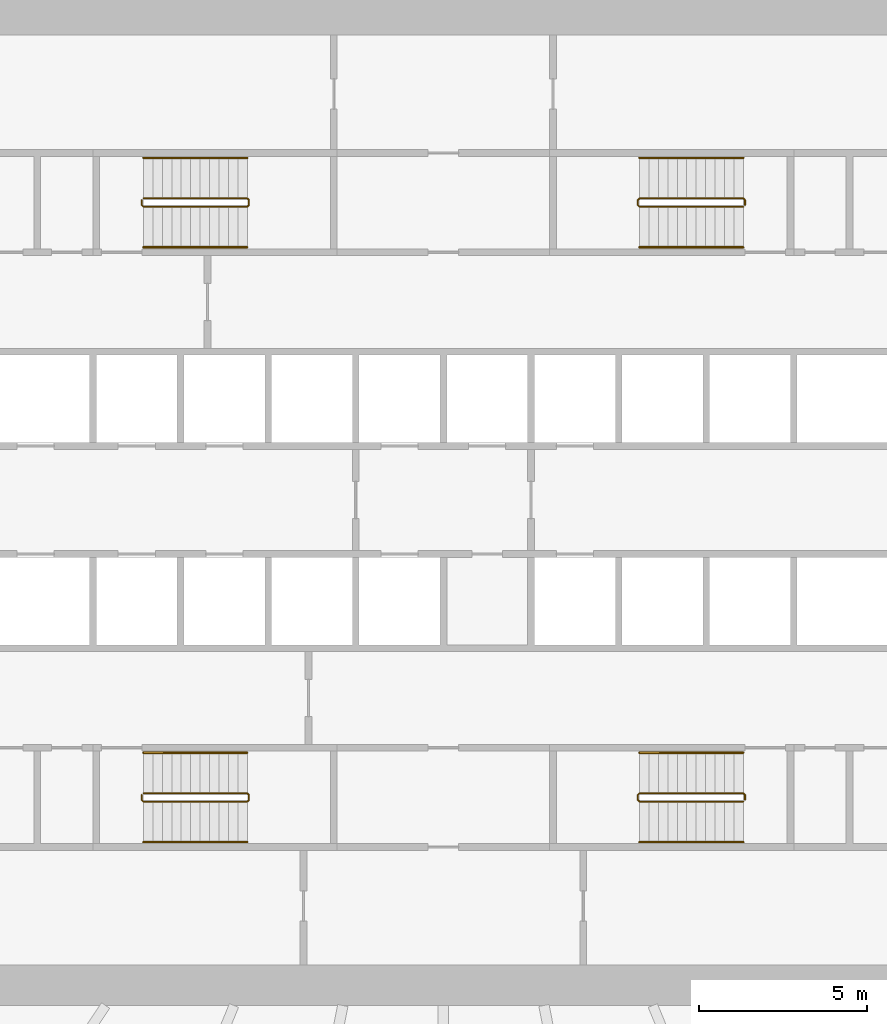
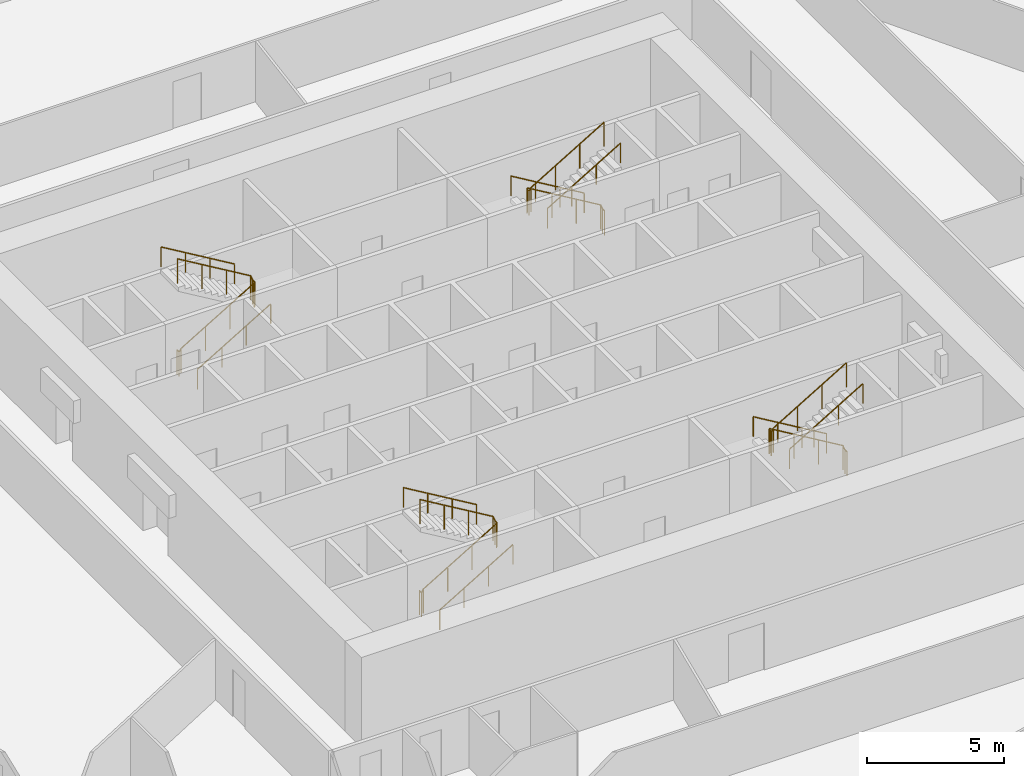
# One storey, part 15 of 15: 12 railings.
"""IFC4 building model written with IfcOpenShell, lengths in metres."""

from ifc_helpers import new_model, si_unit, direction, frame, origin, origin_2d, place, context, subcontext, project, spatial, circle, extrude, material, type_object, element, save


model = new_model("IFC4")

# Units and contexts
model_context = context("Model", 3, precision=1e-05, world=origin(), true_north=direction((0.0, 1.0)))
body_context = subcontext(model_context, "Body", "Model", "MODEL_VIEW")
ifc_project = project(units=[si_unit("LENGTHUNIT", "METRE"), si_unit("AREAUNIT", "SQUARE_METRE"), si_unit("VOLUMEUNIT", "CUBIC_METRE"), si_unit("PLANEANGLEUNIT", "RADIAN"), si_unit("MASSUNIT", "GRAM", prefix="KILO")], contexts=[model_context])

# Site, building, storey
site_placement = place(None, origin())
site = spatial("IfcSite", under=ifc_project, at=site_placement, CompositionType="ELEMENT")
building_placement = place(site_placement, origin())
building = spatial("IfcBuilding", under=site, at=building_placement, Name="Corvane Civic Tower", CompositionType="ELEMENT")
storey_placement = place(building_placement, frame((0.0, 0.0, 45.0)))
storey = spatial("IfcBuildingStorey", under=building, at=storey_placement, Name="L09", CompositionType="ELEMENT", Elevation=45.0)

# Railings
ifc_material_1 = material(Name="Steel ASTM A572 Gr 50", Category="steel")
railing_type_1 = type_object("IfcRailingType", Name="ST-GUARD-1100", PredefinedType="GUARDRAIL", material=ifc_material_1)
railing_1_placement = place(storey_placement, frame((8.949951171875, 8.75, 0.0)))
element("IfcRailing", 1, at=railing_1_placement, inside=storey, type_object=railing_type_1, Name="L09 ST1 stair guard 1", PredefinedType="GUARDRAIL", context=body_context, shape_type="SweptSolid", body=[
    extrude(circle(Radius=0.02392578125, at=origin_2d()), frame((0.0, 0.0, 1.076171875), z_axis=(0.0, 1.0, 0.0), x_axis=(-1.0, 0.0, 0.0)), (0.0, 0.0, 1.0), 0.14990234375),
    extrude(circle(Radius=0.02392578125, at=origin_2d()), frame((0.0, 0.14990234375, 1.076171875), z_axis=(-0.27628659633, 0.27628659633, 0.920506074601), x_axis=(-0.707106781187, -0.707106781187, 0.0)), (0.0, 0.0, 1.0), 0.18115234375),
    extrude(circle(Radius=0.02392578125, at=origin_2d()), frame((-0.050048828125, 0.199951171875, 1.24267578125), z_axis=(-0.859290745958, 0.0, 0.51148745235), x_axis=(0.0, -1.0, 0.0)), (0.0, 0.0, 1.0), 3.584228515625),
    extrude(circle(Radius=0.02392578125, at=origin_2d()), frame((-3.1298828125, 0.199951171875, 3.076171875), z_axis=(-0.707106781187, -0.707106781187, 0.0), x_axis=(0.707106781187, -0.707106781187, 0.0)), (0.0, 0.0, 1.0), 0.07080078125),
    extrude(circle(Radius=0.02392578125, at=origin_2d()), frame((-3.179931640625, 0.14990234375, 3.076171875), z_axis=(0.0, -1.0, 0.0), x_axis=(1.0, 0.0, 0.0)), (0.0, 0.0, 1.0), 0.14990234375),
    extrude(circle(Radius=0.02392578125, at=origin_2d()), frame((-3.179931640625, 0.0, 3.076171875), z_axis=(0.27628659633, -0.27628659633, 0.920506074601), x_axis=(0.707106781187, 0.707106781187, 0.0)), (0.0, 0.0, 1.0), 0.18115234375),
    extrude(circle(Radius=0.02392578125, at=origin_2d()), frame((-3.1298828125, -0.050048828125, 3.24267578125), z_axis=(0.859290745958, 0.0, 0.51148745235), x_axis=(0.0, 1.0, 0.0)), (0.0, 0.0, 1.0), 3.584228515625),
    extrude(circle(Radius=0.02099609375, at=origin_2d()), origin(), (0.0, 0.0, 1.0), 1.052001953125),
    extrude(circle(Radius=0.02099609375, at=origin_2d()), frame((0.0, 0.14990234375, 0.0)), (0.0, 0.0, 1.0), 1.052001953125),
    extrude(circle(Radius=0.02099609375, at=origin_2d()), frame((-0.050048828125, 0.199951171875, 0.166748046875)), (0.0, 0.0, 1.0), 1.052001953125),
    extrude(circle(Radius=0.02099609375, at=origin_2d()), frame((-1.07666015625, 0.199951171875, 0.77783203125)), (0.0, 0.0, 1.0), 1.052001953125),
    extrude(circle(Radius=0.02099609375, at=origin_2d()), frame((-2.103271484375, 0.199951171875, 1.388916015625)), (0.0, 0.0, 1.0), 1.052001953125),
    extrude(circle(Radius=0.02099609375, at=origin_2d()), frame((-3.1298828125, 0.199951171875, 2.0)), (0.0, 0.0, 1.0), 1.052001953125),
    extrude(circle(Radius=0.02099609375, at=origin_2d()), frame((-3.179931640625, 0.14990234375, 2.0)), (0.0, 0.0, 1.0), 1.052001953125),
    extrude(circle(Radius=0.02099609375, at=origin_2d()), frame((-3.179931640625, 0.0, 2.0)), (0.0, 0.0, 1.0), 1.052001953125),
    extrude(circle(Radius=0.02099609375, at=origin_2d()), frame((-3.1298828125, -0.050048828125, 2.166748046875)), (0.0, 0.0, 1.0), 1.052001953125),
    extrude(circle(Radius=0.02099609375, at=origin_2d()), frame((-2.103271484375, -0.050048828125, 2.77783203125)), (0.0, 0.0, 1.0), 1.052001953125),
    extrude(circle(Radius=0.02099609375, at=origin_2d()), frame((-1.07666015625, -0.050048828125, 3.388916015625)), (0.0, 0.0, 1.0), 1.052001953125),
    extrude(circle(Radius=0.02099609375, at=origin_2d()), frame((-0.050048828125, -0.050048828125, 4.0)), (0.0, 0.0, 1.0), 1.052001953125),
])
railing_2_placement = place(storey_placement, frame((8.949951171875, -8.89990234375, 0.0)))
element("IfcRailing", 2, at=railing_2_placement, inside=storey, type_object=railing_type_1, Name="L09 ST2 stair guard 1", PredefinedType="GUARDRAIL", context=body_context, shape_type="SweptSolid", body=[
    extrude(circle(Radius=0.02392578125, at=origin_2d()), frame((0.0, 0.0, 1.076171875), z_axis=(0.0, 1.0, 0.0), x_axis=(-1.0, 0.0, 0.0)), (0.0, 0.0, 1.0), 0.14990234375),
    extrude(circle(Radius=0.02392578125, at=origin_2d()), frame((0.0, 0.14990234375, 1.076171875), z_axis=(-0.27628659633, 0.27628659633, 0.920506074601), x_axis=(-0.707106781187, -0.707106781187, 0.0)), (0.0, 0.0, 1.0), 0.18115234375),
    extrude(circle(Radius=0.02392578125, at=origin_2d()), frame((-0.050048828125, 0.199951171875, 1.24267578125), z_axis=(-0.859290745958, 0.0, 0.51148745235), x_axis=(0.0, -1.0, 0.0)), (0.0, 0.0, 1.0), 3.584228515625),
    extrude(circle(Radius=0.02392578125, at=origin_2d()), frame((-3.1298828125, 0.199951171875, 3.076171875), z_axis=(-0.707106781187, -0.707106781187, 0.0), x_axis=(0.707106781187, -0.707106781187, 0.0)), (0.0, 0.0, 1.0), 0.07080078125),
    extrude(circle(Radius=0.02392578125, at=origin_2d()), frame((-3.179931640625, 0.14990234375, 3.076171875), z_axis=(0.0, -1.0, 0.0), x_axis=(1.0, 0.0, 0.0)), (0.0, 0.0, 1.0), 0.14990234375),
    extrude(circle(Radius=0.02392578125, at=origin_2d()), frame((-3.179931640625, 0.0, 3.076171875), z_axis=(0.27628659633, -0.27628659633, 0.920506074601), x_axis=(0.707106781187, 0.707106781187, 0.0)), (0.0, 0.0, 1.0), 0.18115234375),
    extrude(circle(Radius=0.02392578125, at=origin_2d()), frame((-3.1298828125, -0.050048828125, 3.24267578125), z_axis=(0.859290745958, 0.0, 0.51148745235), x_axis=(0.0, 1.0, 0.0)), (0.0, 0.0, 1.0), 3.584228515625),
    extrude(circle(Radius=0.02099609375, at=origin_2d()), origin(), (0.0, 0.0, 1.0), 1.052001953125),
    extrude(circle(Radius=0.02099609375, at=origin_2d()), frame((0.0, 0.14990234375, 0.0)), (0.0, 0.0, 1.0), 1.052001953125),
    extrude(circle(Radius=0.02099609375, at=origin_2d()), frame((-0.050048828125, 0.199951171875, 0.166748046875)), (0.0, 0.0, 1.0), 1.052001953125),
    extrude(circle(Radius=0.02099609375, at=origin_2d()), frame((-1.07666015625, 0.199951171875, 0.77783203125)), (0.0, 0.0, 1.0), 1.052001953125),
    extrude(circle(Radius=0.02099609375, at=origin_2d()), frame((-2.103271484375, 0.199951171875, 1.388916015625)), (0.0, 0.0, 1.0), 1.052001953125),
    extrude(circle(Radius=0.02099609375, at=origin_2d()), frame((-3.1298828125, 0.199951171875, 2.0)), (0.0, 0.0, 1.0), 1.052001953125),
    extrude(circle(Radius=0.02099609375, at=origin_2d()), frame((-3.179931640625, 0.14990234375, 2.0)), (0.0, 0.0, 1.0), 1.052001953125),
    extrude(circle(Radius=0.02099609375, at=origin_2d()), frame((-3.179931640625, 0.0, 2.0)), (0.0, 0.0, 1.0), 1.052001953125),
    extrude(circle(Radius=0.02099609375, at=origin_2d()), frame((-3.1298828125, -0.050048828125, 2.166748046875)), (0.0, 0.0, 1.0), 1.052001953125),
    extrude(circle(Radius=0.02099609375, at=origin_2d()), frame((-2.103271484375, -0.050048828125, 2.77783203125)), (0.0, 0.0, 1.0), 1.052001953125),
    extrude(circle(Radius=0.02099609375, at=origin_2d()), frame((-1.07666015625, -0.050048828125, 3.388916015625)), (0.0, 0.0, 1.0), 1.052001953125),
    extrude(circle(Radius=0.02099609375, at=origin_2d()), frame((-0.050048828125, -0.050048828125, 4.0)), (0.0, 0.0, 1.0), 1.052001953125),
])
railing_3_placement = place(storey_placement, frame((-8.949951171875, -8.75, 0.0)))
element("IfcRailing", 3, at=railing_3_placement, inside=storey, type_object=railing_type_1, Name="L09 ST3 stair guard 1", PredefinedType="GUARDRAIL", context=body_context, shape_type="SweptSolid", body=[
    extrude(circle(Radius=0.02392578125, at=origin_2d()), frame((0.0, 0.0, 1.076171875), z_axis=(0.0, -1.0, 0.0), x_axis=(1.0, 0.0, 0.0)), (0.0, 0.0, 1.0), 0.14990234375),
    extrude(circle(Radius=0.02392578125, at=origin_2d()), frame((0.0, -0.14990234375, 1.076171875), z_axis=(0.27628659633, -0.27628659633, 0.920506074601), x_axis=(0.707106781187, 0.707106781187, 0.0)), (0.0, 0.0, 1.0), 0.18115234375),
    extrude(circle(Radius=0.02392578125, at=origin_2d()), frame((0.050048828125, -0.199951171875, 1.24267578125), z_axis=(0.859290745958, 0.0, 0.51148745235), x_axis=(0.0, 1.0, 0.0)), (0.0, 0.0, 1.0), 3.584228515625),
    extrude(circle(Radius=0.02392578125, at=origin_2d()), frame((3.1298828125, -0.199951171875, 3.076171875), z_axis=(0.707106781187, 0.707106781187, 0.0), x_axis=(-0.707106781187, 0.707106781187, 0.0)), (0.0, 0.0, 1.0), 0.07080078125),
    extrude(circle(Radius=0.02392578125, at=origin_2d()), frame((3.179931640625, -0.14990234375, 3.076171875), z_axis=(0.0, 1.0, 0.0), x_axis=(-1.0, 0.0, 0.0)), (0.0, 0.0, 1.0), 0.14990234375),
    extrude(circle(Radius=0.02392578125, at=origin_2d()), frame((3.179931640625, 0.0, 3.076171875), z_axis=(-0.27628659633, 0.27628659633, 0.920506074601), x_axis=(-0.707106781187, -0.707106781187, 0.0)), (0.0, 0.0, 1.0), 0.18115234375),
    extrude(circle(Radius=0.02392578125, at=origin_2d()), frame((3.1298828125, 0.050048828125, 3.24267578125), z_axis=(-0.859290745958, 0.0, 0.51148745235), x_axis=(0.0, -1.0, 0.0)), (0.0, 0.0, 1.0), 3.584228515625),
    extrude(circle(Radius=0.02099609375, at=origin_2d()), origin(), (0.0, 0.0, 1.0), 1.052001953125),
    extrude(circle(Radius=0.02099609375, at=origin_2d()), frame((0.0, -0.14990234375, 0.0)), (0.0, 0.0, 1.0), 1.052001953125),
    extrude(circle(Radius=0.02099609375, at=origin_2d()), frame((0.050048828125, -0.199951171875, 0.166748046875)), (0.0, 0.0, 1.0), 1.052001953125),
    extrude(circle(Radius=0.02099609375, at=origin_2d()), frame((1.07666015625, -0.199951171875, 0.77783203125)), (0.0, 0.0, 1.0), 1.052001953125),
    extrude(circle(Radius=0.02099609375, at=origin_2d()), frame((2.103271484375, -0.199951171875, 1.388916015625)), (0.0, 0.0, 1.0), 1.052001953125),
    extrude(circle(Radius=0.02099609375, at=origin_2d()), frame((3.1298828125, -0.199951171875, 2.0)), (0.0, 0.0, 1.0), 1.052001953125),
    extrude(circle(Radius=0.02099609375, at=origin_2d()), frame((3.179931640625, -0.14990234375, 2.0)), (0.0, 0.0, 1.0), 1.052001953125),
    extrude(circle(Radius=0.02099609375, at=origin_2d()), frame((3.179931640625, 0.0, 2.0)), (0.0, 0.0, 1.0), 1.052001953125),
    extrude(circle(Radius=0.02099609375, at=origin_2d()), frame((3.1298828125, 0.050048828125, 2.166748046875)), (0.0, 0.0, 1.0), 1.052001953125),
    extrude(circle(Radius=0.02099609375, at=origin_2d()), frame((2.103271484375, 0.050048828125, 2.77783203125)), (0.0, 0.0, 1.0), 1.052001953125),
    extrude(circle(Radius=0.02099609375, at=origin_2d()), frame((1.07666015625, 0.050048828125, 3.388916015625)), (0.0, 0.0, 1.0), 1.052001953125),
    extrude(circle(Radius=0.02099609375, at=origin_2d()), frame((0.050048828125, 0.050048828125, 4.0)), (0.0, 0.0, 1.0), 1.052001953125),
])
railing_4_placement = place(storey_placement, frame((-8.949951171875, 8.89990234375, 0.0)))
element("IfcRailing", 4, at=railing_4_placement, inside=storey, type_object=railing_type_1, Name="L09 ST4 stair guard 1", PredefinedType="GUARDRAIL", context=body_context, shape_type="SweptSolid", body=[
    extrude(circle(Radius=0.02392578125, at=origin_2d()), frame((0.0, 0.0, 1.076171875), z_axis=(0.0, -1.0, 0.0), x_axis=(1.0, 0.0, 0.0)), (0.0, 0.0, 1.0), 0.14990234375),
    extrude(circle(Radius=0.02392578125, at=origin_2d()), frame((0.0, -0.14990234375, 1.076171875), z_axis=(0.27628659633, -0.27628659633, 0.920506074601), x_axis=(0.707106781187, 0.707106781187, 0.0)), (0.0, 0.0, 1.0), 0.18115234375),
    extrude(circle(Radius=0.02392578125, at=origin_2d()), frame((0.050048828125, -0.199951171875, 1.24267578125), z_axis=(0.859290745958, 0.0, 0.51148745235), x_axis=(0.0, 1.0, 0.0)), (0.0, 0.0, 1.0), 3.584228515625),
    extrude(circle(Radius=0.02392578125, at=origin_2d()), frame((3.1298828125, -0.199951171875, 3.076171875), z_axis=(0.707106781187, 0.707106781187, 0.0), x_axis=(-0.707106781187, 0.707106781187, 0.0)), (0.0, 0.0, 1.0), 0.07080078125),
    extrude(circle(Radius=0.02392578125, at=origin_2d()), frame((3.179931640625, -0.14990234375, 3.076171875), z_axis=(0.0, 1.0, 0.0), x_axis=(-1.0, 0.0, 0.0)), (0.0, 0.0, 1.0), 0.14990234375),
    extrude(circle(Radius=0.02392578125, at=origin_2d()), frame((3.179931640625, 0.0, 3.076171875), z_axis=(-0.27628659633, 0.27628659633, 0.920506074601), x_axis=(-0.707106781187, -0.707106781187, 0.0)), (0.0, 0.0, 1.0), 0.18115234375),
    extrude(circle(Radius=0.02392578125, at=origin_2d()), frame((3.1298828125, 0.050048828125, 3.24267578125), z_axis=(-0.859290745958, 0.0, 0.51148745235), x_axis=(0.0, -1.0, 0.0)), (0.0, 0.0, 1.0), 3.584228515625),
    extrude(circle(Radius=0.02099609375, at=origin_2d()), origin(), (0.0, 0.0, 1.0), 1.052001953125),
    extrude(circle(Radius=0.02099609375, at=origin_2d()), frame((0.0, -0.14990234375, 0.0)), (0.0, 0.0, 1.0), 1.052001953125),
    extrude(circle(Radius=0.02099609375, at=origin_2d()), frame((0.050048828125, -0.199951171875, 0.166748046875)), (0.0, 0.0, 1.0), 1.052001953125),
    extrude(circle(Radius=0.02099609375, at=origin_2d()), frame((1.07666015625, -0.199951171875, 0.77783203125)), (0.0, 0.0, 1.0), 1.052001953125),
    extrude(circle(Radius=0.02099609375, at=origin_2d()), frame((2.103271484375, -0.199951171875, 1.388916015625)), (0.0, 0.0, 1.0), 1.052001953125),
    extrude(circle(Radius=0.02099609375, at=origin_2d()), frame((3.1298828125, -0.199951171875, 2.0)), (0.0, 0.0, 1.0), 1.052001953125),
    extrude(circle(Radius=0.02099609375, at=origin_2d()), frame((3.179931640625, -0.14990234375, 2.0)), (0.0, 0.0, 1.0), 1.052001953125),
    extrude(circle(Radius=0.02099609375, at=origin_2d()), frame((3.179931640625, 0.0, 2.0)), (0.0, 0.0, 1.0), 1.052001953125),
    extrude(circle(Radius=0.02099609375, at=origin_2d()), frame((3.1298828125, 0.050048828125, 2.166748046875)), (0.0, 0.0, 1.0), 1.052001953125),
    extrude(circle(Radius=0.02099609375, at=origin_2d()), frame((2.103271484375, 0.050048828125, 2.77783203125)), (0.0, 0.0, 1.0), 1.052001953125),
    extrude(circle(Radius=0.02099609375, at=origin_2d()), frame((1.07666015625, 0.050048828125, 3.388916015625)), (0.0, 0.0, 1.0), 1.052001953125),
    extrude(circle(Radius=0.02099609375, at=origin_2d()), frame((0.050048828125, 0.050048828125, 4.0)), (0.0, 0.0, 1.0), 1.052001953125),
])
ifc_material_2 = material(Name="Steel ASTM A572 Gr 50", Category="steel")
railing_type_2 = type_object("IfcRailingType", Name="ST-HANDRAIL-900", PredefinedType="HANDRAIL", material=ifc_material_2)
railing_5_placement = place(storey_placement, frame((8.89990234375, 10.14990234375, 0.166748046875)))
element("IfcRailing", 5, at=railing_5_placement, inside=storey, type_object=railing_type_2, Name="L09 ST1 stair handrail 1", PredefinedType="HANDRAIL", context=body_context, shape_type="SweptSolid", body=[
    extrude(circle(Radius=0.02392578125, at=origin_2d()), frame((0.0, 0.0, 0.8759765625), z_axis=(-0.859290745958, 0.0, 0.51148745235), x_axis=(0.0, -1.0, 0.0)), (0.0, 0.0, 1.0), 3.584228515625),
    extrude(circle(Radius=0.02099609375, at=origin_2d()), origin(), (0.0, 0.0, 1.0), 0.851806640625),
    extrude(circle(Radius=0.02099609375, at=origin_2d()), frame((-1.026611328125, 0.0, 0.611083984375)), (0.0, 0.0, 1.0), 0.851806640625),
    extrude(circle(Radius=0.02099609375, at=origin_2d()), frame((-2.05322265625, 0.0, 1.22216796875)), (0.0, 0.0, 1.0), 0.851806640625),
    extrude(circle(Radius=0.02099609375, at=origin_2d()), frame((-3.079833984375, 0.0, 1.833251953125)), (0.0, 0.0, 1.0), 0.851806640625),
])
railing_6_placement = place(storey_placement, frame((5.820068359375, 7.5, 2.166748046875)))
element("IfcRailing", 6, at=railing_6_placement, inside=storey, type_object=railing_type_2, Name="L09 ST1 stair handrail 2", PredefinedType="HANDRAIL", context=body_context, shape_type="SweptSolid", body=[
    extrude(circle(Radius=0.02392578125, at=origin_2d()), frame((0.0, 0.0, 0.8759765625), z_axis=(0.859290745958, 0.0, 0.51148745235), x_axis=(0.0, 1.0, 0.0)), (0.0, 0.0, 1.0), 3.584228515625),
    extrude(circle(Radius=0.02099609375, at=origin_2d()), origin(), (0.0, 0.0, 1.0), 0.851806640625),
    extrude(circle(Radius=0.02099609375, at=origin_2d()), frame((1.026611328125, 0.0, 0.611083984375)), (0.0, 0.0, 1.0), 0.851806640625),
    extrude(circle(Radius=0.02099609375, at=origin_2d()), frame((2.05322265625, 0.0, 1.22216796875)), (0.0, 0.0, 1.0), 0.851806640625),
    extrude(circle(Radius=0.02099609375, at=origin_2d()), frame((3.079833984375, 0.0, 1.833251953125)), (0.0, 0.0, 1.0), 0.851806640625),
])
railing_7_placement = place(storey_placement, frame((8.89990234375, -7.5, 0.166748046875)))
element("IfcRailing", 7, at=railing_7_placement, inside=storey, type_object=railing_type_2, Name="L09 ST2 stair handrail 1", PredefinedType="HANDRAIL", context=body_context, shape_type="SweptSolid", body=[
    extrude(circle(Radius=0.02392578125, at=origin_2d()), frame((0.0, 0.0, 0.8759765625), z_axis=(-0.859290745958, 0.0, 0.51148745235), x_axis=(0.0, -1.0, 0.0)), (0.0, 0.0, 1.0), 3.584228515625),
    extrude(circle(Radius=0.02099609375, at=origin_2d()), origin(), (0.0, 0.0, 1.0), 0.851806640625),
    extrude(circle(Radius=0.02099609375, at=origin_2d()), frame((-1.026611328125, 0.0, 0.611083984375)), (0.0, 0.0, 1.0), 0.851806640625),
    extrude(circle(Radius=0.02099609375, at=origin_2d()), frame((-2.05322265625, 0.0, 1.22216796875)), (0.0, 0.0, 1.0), 0.851806640625),
    extrude(circle(Radius=0.02099609375, at=origin_2d()), frame((-3.079833984375, 0.0, 1.833251953125)), (0.0, 0.0, 1.0), 0.851806640625),
])
for number, where, name in (
    (8, (5.820068359375, -10.14990234375, 2.166748046875), "L09 ST2 stair handrail 2"),
    (9, (-8.89990234375, -10.14990234375, 0.166748046875), "L09 ST3 stair handrail 1"),
):
    element("IfcRailing", number, at=place(storey_placement, frame(where)), inside=storey, type_object=railing_type_2, Name=name, PredefinedType="HANDRAIL", context=body_context, shape_type="SweptSolid", body=[
        extrude(circle(Radius=0.02392578125, at=origin_2d()), frame((0.0, 0.0, 0.8759765625), z_axis=(0.859290745958, 0.0, 0.51148745235), x_axis=(0.0, 1.0, 0.0)), (0.0, 0.0, 1.0), 3.584228515625),
        extrude(circle(Radius=0.02099609375, at=origin_2d()), origin(), (0.0, 0.0, 1.0), 0.851806640625),
        extrude(circle(Radius=0.02099609375, at=origin_2d()), frame((1.026611328125, 0.0, 0.611083984375)), (0.0, 0.0, 1.0), 0.851806640625),
        extrude(circle(Radius=0.02099609375, at=origin_2d()), frame((2.05322265625, 0.0, 1.22216796875)), (0.0, 0.0, 1.0), 0.851806640625),
        extrude(circle(Radius=0.02099609375, at=origin_2d()), frame((3.079833984375, 0.0, 1.833251953125)), (0.0, 0.0, 1.0), 0.851806640625),
    ])
railing_8_placement = place(storey_placement, frame((-5.820068359375, -7.5, 2.166748046875)))
element("IfcRailing", 10, at=railing_8_placement, inside=storey, type_object=railing_type_2, Name="L09 ST3 stair handrail 2", PredefinedType="HANDRAIL", context=body_context, shape_type="SweptSolid", body=[
    extrude(circle(Radius=0.02392578125, at=origin_2d()), frame((0.0, 0.0, 0.8759765625), z_axis=(-0.859290745958, 0.0, 0.51148745235), x_axis=(0.0, -1.0, 0.0)), (0.0, 0.0, 1.0), 3.584228515625),
    extrude(circle(Radius=0.02099609375, at=origin_2d()), origin(), (0.0, 0.0, 1.0), 0.851806640625),
    extrude(circle(Radius=0.02099609375, at=origin_2d()), frame((-1.026611328125, 0.0, 0.611083984375)), (0.0, 0.0, 1.0), 0.851806640625),
    extrude(circle(Radius=0.02099609375, at=origin_2d()), frame((-2.05322265625, 0.0, 1.22216796875)), (0.0, 0.0, 1.0), 0.851806640625),
    extrude(circle(Radius=0.02099609375, at=origin_2d()), frame((-3.079833984375, 0.0, 1.833251953125)), (0.0, 0.0, 1.0), 0.851806640625),
])
railing_9_placement = place(storey_placement, frame((-8.89990234375, 7.5, 0.166748046875)))
element("IfcRailing", 11, at=railing_9_placement, inside=storey, type_object=railing_type_2, Name="L09 ST4 stair handrail 1", PredefinedType="HANDRAIL", context=body_context, shape_type="SweptSolid", body=[
    extrude(circle(Radius=0.02392578125, at=origin_2d()), frame((0.0, 0.0, 0.8759765625), z_axis=(0.859290745958, 0.0, 0.51148745235), x_axis=(0.0, 1.0, 0.0)), (0.0, 0.0, 1.0), 3.584228515625),
    extrude(circle(Radius=0.02099609375, at=origin_2d()), origin(), (0.0, 0.0, 1.0), 0.851806640625),
    extrude(circle(Radius=0.02099609375, at=origin_2d()), frame((1.026611328125, 0.0, 0.611083984375)), (0.0, 0.0, 1.0), 0.851806640625),
    extrude(circle(Radius=0.02099609375, at=origin_2d()), frame((2.05322265625, 0.0, 1.22216796875)), (0.0, 0.0, 1.0), 0.851806640625),
    extrude(circle(Radius=0.02099609375, at=origin_2d()), frame((3.079833984375, 0.0, 1.833251953125)), (0.0, 0.0, 1.0), 0.851806640625),
])
railing_10_placement = place(storey_placement, frame((-5.820068359375, 10.14990234375, 2.166748046875)))
element("IfcRailing", 12, at=railing_10_placement, inside=storey, type_object=railing_type_2, Name="L09 ST4 stair handrail 2", PredefinedType="HANDRAIL", context=body_context, shape_type="SweptSolid", body=[
    extrude(circle(Radius=0.02392578125, at=origin_2d()), frame((0.0, 0.0, 0.8759765625), z_axis=(-0.859290745958, 0.0, 0.51148745235), x_axis=(0.0, -1.0, 0.0)), (0.0, 0.0, 1.0), 3.584228515625),
    extrude(circle(Radius=0.02099609375, at=origin_2d()), origin(), (0.0, 0.0, 1.0), 0.851806640625),
    extrude(circle(Radius=0.02099609375, at=origin_2d()), frame((-1.026611328125, 0.0, 0.611083984375)), (0.0, 0.0, 1.0), 0.851806640625),
    extrude(circle(Radius=0.02099609375, at=origin_2d()), frame((-2.05322265625, 0.0, 1.22216796875)), (0.0, 0.0, 1.0), 0.851806640625),
    extrude(circle(Radius=0.02099609375, at=origin_2d()), frame((-3.079833984375, 0.0, 1.833251953125)), (0.0, 0.0, 1.0), 0.851806640625),
])

save(model, "model.ifc")
